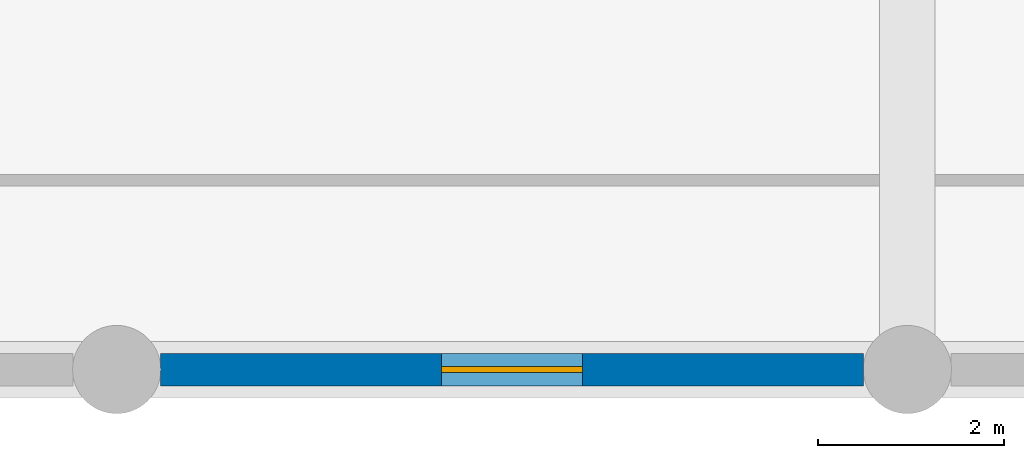
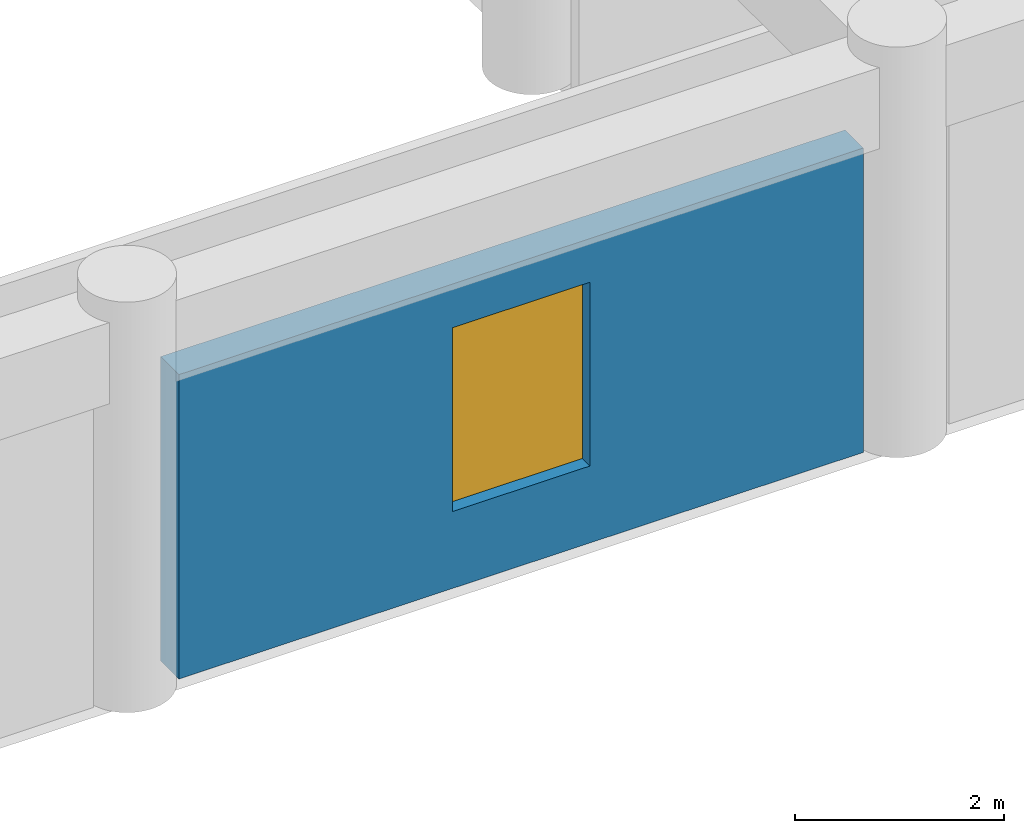
# One storey, part 94 of 137: 1 wall, 1 window, 1 opening.
"""IFC4 building model written with IfcOpenShell, lengths in metres."""

from ifc_helpers import new_model, si_unit, direction, frame, frame_2d, origin, place, context, subcontext, project, spatial, rectangle, extrude, material, layer, layer_set, type_object, element, fill, save


model = new_model("IFC4")

# Units and contexts
model_context = context("Model", 3, precision=1e-05, world=origin(), true_north=direction((0.0, 1.0)))
body_context = subcontext(model_context, "Body", "Model", "MODEL_VIEW")
ifc_project = project(units=[si_unit("LENGTHUNIT", "METRE"), si_unit("AREAUNIT", "SQUARE_METRE"), si_unit("VOLUMEUNIT", "CUBIC_METRE"), si_unit("PLANEANGLEUNIT", "RADIAN"), si_unit("MASSUNIT", "GRAM", prefix="KILO")], contexts=[model_context])

# Site, building, storey
site_placement = place(None, origin())
site = spatial("IfcSite", under=ifc_project, at=site_placement, CompositionType="ELEMENT")
building_placement = place(site_placement, origin())
building = spatial("IfcBuilding", under=site, at=building_placement, Name="Mphavela Belvedere Stadium", CompositionType="ELEMENT")
storey_placement = place(building_placement, frame((0.0, 0.0, 19.199951171875)))
storey = spatial("IfcBuildingStorey", under=building, at=storey_placement, Name="L04", CompositionType="ELEMENT", Elevation=19.199951171875)

# Wall, opening, window
ifc_material_1 = material(Name="Honed ashlar limestone masonry", Category="masonry")
ifc_layer = layer(ifc_material_1, 0.35009765625)
ifc_layer_set = layer_set([ifc_layer], Name="Honed ashlar limestone masonry")
wall_type = type_object("IfcWallType", Name="WAL-EXT-ASHLAR-350", PredefinedType="STANDARD", material=ifc_layer_set)
wall_placement = place(storey_placement, frame((127.304931640625, 0.0, 0.0), z_axis=(0.0, 0.0, 1.0), x_axis=(-1.0, 0.0, 0.0)))
wall = element("IfcWall", 1, at=wall_placement, inside=storey, type_object=wall_type, Name="South Axial Triumphal Peristyle Portico outer facade bay L04-15", PredefinedType="STANDARD", context=body_context, shape_type="SweptSolid", body=[
    extrude(rectangle(XDim=7.572998046875, YDim=0.35009765625, at=frame_2d((3.78662109375, 0.0))), origin(), (0.0, 0.0, 1.0), 3.56005859375),
])
opening_placement = place(wall_placement, frame((3.026611328125, 0.0, 0.89990234375)))
opening = element("IfcOpeningElement", 2, at=opening_placement, cuts=wall, Name="Opening W-125", PredefinedType="OPENING", context=body_context, shape_type="SweptSolid", body=[
    extrude(rectangle(XDim=1.52001953125, YDim=2.14990234375, at=frame_2d((0.760009765625, 1.074951171875))), frame((0.0, 0.18505859375, 0.0), z_axis=(0.0, -1.0, 0.0), x_axis=(1.0, 0.0, 0.0)), (0.0, 0.0, 1.0), 0.3701171875),
])
ifc_material_2 = material(Name="Bronze-anodised thermally broken aluminium window", Category="aluminium")
window_type = type_object("IfcWindowType", Name="WIN-EXT-37", PartitioningType="SINGLE_PANEL", PredefinedType="WINDOW", material=ifc_material_2)
window_placement = place(opening_placement, origin())
window = element("IfcWindow", 3, at=window_placement, inside=storey, type_object=window_type, Name="South Axial Triumphal Peristyle Portico classical window W-125", OverallHeight=2.14990234375, OverallWidth=1.52001953125, PartitioningType="SINGLE_PANEL", PredefinedType="WINDOW", context=body_context, shape_type="SweptSolid", body=[
    extrude(rectangle(XDim=1.52001953125, YDim=2.14990234375, at=frame_2d((0.760009765625, 1.074951171875))), frame((0.0, 0.030029296875, 0.0), z_axis=(0.0, -1.0, 0.0), x_axis=(1.0, 0.0, 0.0)), (0.0, 0.0, 1.0), 0.06005859375),
])
fill(opening, window)

save(model, "model.ifc")
